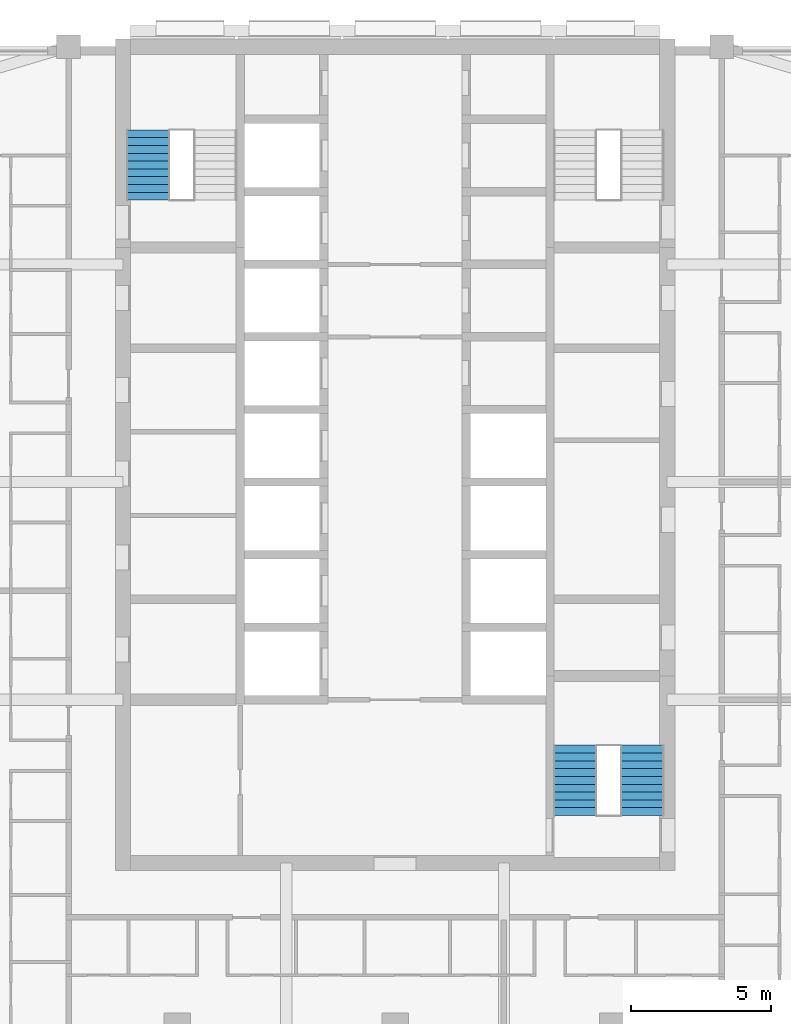
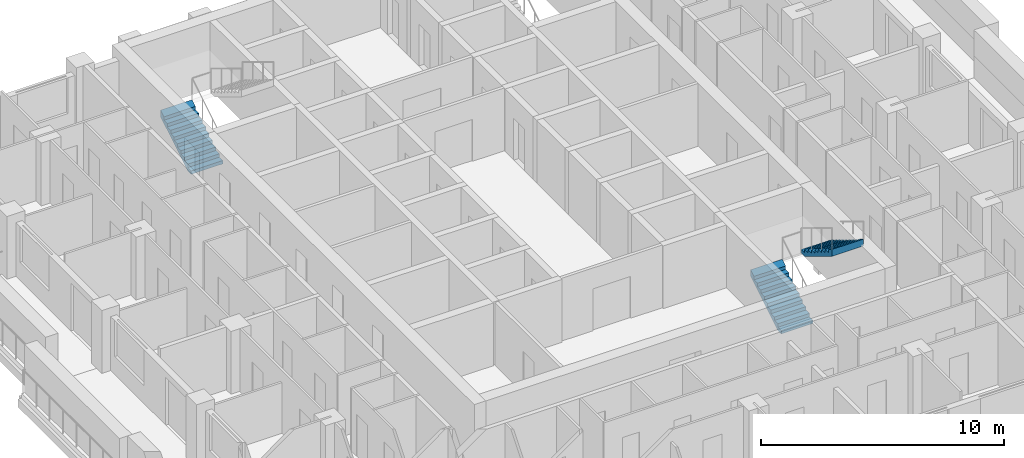
# One storey, part 11 of 14: 3 stair flights, 2 elements without a shape of their own.
"""IFC4 building model written with IfcOpenShell, lengths in metres."""

from ifc_helpers import new_model, si_unit, direction, frame, origin, place, context, subcontext, project, spatial, triangles, material, type_object, element, aggregate, save


model = new_model("IFC4")

# Units and contexts
model_context = context("Model", 3, precision=1e-05, world=origin(), true_north=direction((0.0, 1.0)))
body_context = subcontext(model_context, "Body", "Model", "MODEL_VIEW")
ifc_project = project(units=[si_unit("LENGTHUNIT", "METRE"), si_unit("AREAUNIT", "SQUARE_METRE"), si_unit("VOLUMEUNIT", "CUBIC_METRE"), si_unit("PLANEANGLEUNIT", "RADIAN"), si_unit("MASSUNIT", "GRAM", prefix="KILO")], contexts=[model_context])

# Site, building, storey
site_placement = place(None, origin())
site = spatial("IfcSite", under=ifc_project, at=site_placement, CompositionType="ELEMENT")
building_placement = place(site_placement, origin())
building = spatial("IfcBuilding", under=site, at=building_placement, Name="Ludao Terraces", CompositionType="ELEMENT")
storey_placement = place(building_placement, frame((0.0, 0.0, 103.300048828125)))
storey = spatial("IfcBuildingStorey", under=building, at=storey_placement, Name="L28", CompositionType="ELEMENT", Elevation=103.300048828125)

# Stair, stair flight
ifc_material = material(Name="Concrete C40", Category="concrete")
stair_type = type_object("IfcStairType", Name="INT Stair", PredefinedType="HALF_TURN_STAIR", material=ifc_material)
stair_1_placement = place(storey_placement, origin())
stair_1 = element("IfcStair", 1, at=stair_1_placement, inside=storey, type_object=stair_type, Name="EXIT STAIR 1", PredefinedType="HALF_TURN_STAIR")
stair_flight_type = type_object("IfcStairFlightType", Name="INT Stair flight", PredefinedType="STRAIGHT", material=ifc_material)
stair_flight_1_placement = place(storey_placement, frame((76.14990234375, 79.0, 0.0), z_axis=(0.0, 0.0, 1.0), x_axis=(0.0, 1.0, 0.0)))
stair_flight_1 = element("IfcStairFlight", 2, at=stair_flight_1_placement, type_object=stair_flight_type, Name="ST1 flight 1", NumberOfRisers=10, NumberOfTreads=9, PredefinedType="STRAIGHT", RiserHeight=0.17, TreadLength=0.28, context=body_context, shape_type="Tessellation", body=[
    triangles([(0.0, -0.75, 0.0), (0.0, -0.5, 0.0), (0.0, -0.25, 0.0), (0.0, 0.0, 0.0), (0.0, 0.25, 0.0), (0.0, 0.5, 0.0), (0.0, 0.75, 0.0), (0.0, -0.75, 0.169921875), (0.0, -0.5, 0.169921875), (0.0, -0.25, 0.169921875), (0.0, 0.0, 0.169921875), (0.0, 0.25, 0.169921875), (0.0, 0.5, 0.169921875), (0.0, 0.75, 0.169921875), (0.280029296875, -0.75, 0.169921875), (0.280029296875, -0.5, 0.169921875), (0.280029296875, -0.25, 0.169921875), (0.280029296875, 0.0, 0.169921875), (0.280029296875, 0.25, 0.169921875), (0.280029296875, 0.5, 0.169921875), (0.280029296875, 0.75, 0.169921875), (0.280029296875, -0.75, 0.340087890625), (0.280029296875, -0.5, 0.340087890625), (0.280029296875, -0.25, 0.340087890625), (0.280029296875, 0.0, 0.340087890625), (0.280029296875, 0.25, 0.340087890625), (0.280029296875, 0.5, 0.340087890625), (0.280029296875, 0.75, 0.340087890625), (0.56005859375, -0.75, 0.340087890625), (0.56005859375, -0.5, 0.340087890625), (0.56005859375, -0.25, 0.340087890625), (0.56005859375, 0.0, 0.340087890625), (0.56005859375, 0.25, 0.340087890625), (0.56005859375, 0.5, 0.340087890625), (0.56005859375, 0.75, 0.340087890625), (0.56005859375, -0.75, 0.510009765625), (0.56005859375, -0.5, 0.510009765625), (0.56005859375, -0.25, 0.510009765625), (0.56005859375, 0.0, 0.510009765625), (0.56005859375, 0.25, 0.510009765625), (0.56005859375, 0.5, 0.510009765625), (0.56005859375, 0.75, 0.510009765625), (0.840087890625, -0.75, 0.510009765625), (0.840087890625, -0.5, 0.510009765625), (0.840087890625, -0.25, 0.510009765625), (0.840087890625, 0.0, 0.510009765625), (0.840087890625, 0.25, 0.510009765625), (0.840087890625, 0.5, 0.510009765625), (0.840087890625, 0.75, 0.510009765625), (0.840087890625, -0.75, 0.679931640625), (0.840087890625, -0.5, 0.679931640625), (0.840087890625, -0.25, 0.679931640625), (0.840087890625, 0.0, 0.679931640625), (0.840087890625, 0.25, 0.679931640625), (0.840087890625, 0.5, 0.679931640625), (0.840087890625, 0.75, 0.679931640625), (1.1201171875, -0.75, 0.679931640625), (1.1201171875, -0.5, 0.679931640625), (1.1201171875, -0.25, 0.679931640625), (1.1201171875, 0.0, 0.679931640625), (1.1201171875, 0.25, 0.679931640625), (1.1201171875, 0.5, 0.679931640625), (1.1201171875, 0.75, 0.679931640625), (1.1201171875, -0.75, 0.85009765625), (1.1201171875, -0.5, 0.85009765625), (1.1201171875, -0.25, 0.85009765625), (1.1201171875, 0.0, 0.85009765625), (1.1201171875, 0.25, 0.85009765625), (1.1201171875, 0.5, 0.85009765625), (1.1201171875, 0.75, 0.85009765625), (1.39990234375, -0.75, 0.85009765625), (1.39990234375, -0.5, 0.85009765625), (1.39990234375, -0.25, 0.85009765625), (1.39990234375, 0.0, 0.85009765625), (1.39990234375, 0.25, 0.85009765625), (1.39990234375, 0.5, 0.85009765625), (1.39990234375, 0.75, 0.85009765625), (1.39990234375, -0.75, 1.02001953125), (1.39990234375, -0.5, 1.02001953125), (1.39990234375, -0.25, 1.02001953125), (1.39990234375, 0.0, 1.02001953125), (1.39990234375, 0.25, 1.02001953125), (1.39990234375, 0.5, 1.02001953125), (1.39990234375, 0.75, 1.02001953125), (1.679931640625, -0.75, 1.02001953125), (1.679931640625, -0.5, 1.02001953125), (1.679931640625, -0.25, 1.02001953125), (1.679931640625, 0.0, 1.02001953125), (1.679931640625, 0.25, 1.02001953125), (1.679931640625, 0.5, 1.02001953125), (1.679931640625, 0.75, 1.02001953125), (1.679931640625, -0.75, 1.18994140625), (1.679931640625, -0.5, 1.18994140625), (1.679931640625, -0.25, 1.18994140625), (1.679931640625, 0.0, 1.18994140625), (1.679931640625, 0.25, 1.18994140625), (1.679931640625, 0.5, 1.18994140625), (1.679931640625, 0.75, 1.18994140625), (1.9599609375, -0.75, 1.18994140625), (1.9599609375, -0.5, 1.18994140625), (1.9599609375, -0.25, 1.18994140625), (1.9599609375, 0.0, 1.18994140625), (1.9599609375, 0.25, 1.18994140625), (1.9599609375, 0.5, 1.18994140625), (1.9599609375, 0.75, 1.18994140625), (1.9599609375, -0.75, 1.360107421875), (1.9599609375, -0.5, 1.360107421875), (1.9599609375, -0.25, 1.360107421875), (1.9599609375, 0.0, 1.360107421875), (1.9599609375, 0.25, 1.360107421875), (1.9599609375, 0.5, 1.360107421875), (1.9599609375, 0.75, 1.360107421875), (2.239990234375, -0.75, 1.360107421875), (2.239990234375, -0.5, 1.360107421875), (2.239990234375, -0.25, 1.360107421875), (2.239990234375, 0.0, 1.360107421875), (2.239990234375, 0.25, 1.360107421875), (2.239990234375, 0.5, 1.360107421875), (2.239990234375, 0.75, 1.360107421875), (2.239990234375, -0.75, 1.530029296875), (2.239990234375, -0.5, 1.530029296875), (2.239990234375, -0.25, 1.530029296875), (2.239990234375, 0.0, 1.530029296875), (2.239990234375, 0.25, 1.530029296875), (2.239990234375, 0.5, 1.530029296875), (2.239990234375, 0.75, 1.530029296875), (2.52001953125, -0.75, 1.699951171875), (2.52001953125, -0.5, 1.699951171875), (2.52001953125, -0.25, 1.699951171875), (2.52001953125, 0.0, 1.699951171875), (2.52001953125, 0.25, 1.699951171875), (2.52001953125, 0.5, 1.699951171875), (2.52001953125, 0.75, 1.699951171875), (2.52001953125, -0.75, 1.354736328125), (2.52001953125, -0.5, 1.354736328125), (2.52001953125, -0.25, 1.354736328125), (2.52001953125, 0.0, 1.354736328125), (2.52001953125, 0.25, 1.354736328125), (2.52001953125, 0.5, 1.354736328125), (2.52001953125, 0.75, 1.354736328125), (0.288818359375, -0.75, 0.0), (0.288818359375, -0.5, 0.0), (0.288818359375, -0.25, 0.0), (0.288818359375, 0.0, 0.0), (0.288818359375, 0.25, 0.0), (0.288818359375, 0.5, 0.0), (0.288818359375, 0.75, 0.0)], [[1, 141, 134], [7, 140, 147], [134, 127, 120], [140, 126, 133], [134, 120, 113], [140, 119, 126], [134, 113, 106], [140, 112, 119], [134, 106, 99], [140, 105, 112], [99, 92, 85], [105, 91, 98], [134, 99, 85], [140, 91, 105], [85, 78, 71], [91, 77, 84], [134, 85, 71], [140, 77, 91], [71, 64, 57], [77, 63, 70], [134, 71, 57], [140, 63, 77], [57, 50, 43], [63, 49, 56], [134, 57, 43], [140, 49, 63], [43, 36, 29], [49, 35, 42], [134, 43, 29], [140, 35, 49], [29, 22, 15], [35, 21, 28], [134, 29, 15], [140, 21, 35], [1, 134, 15], [7, 21, 140], [15, 8, 1], [21, 7, 14], [1, 9, 2], [1, 8, 9], [2, 10, 3], [2, 9, 10], [3, 11, 4], [3, 10, 11], [4, 12, 5], [4, 11, 12], [5, 13, 6], [5, 12, 13], [6, 14, 7], [6, 13, 14], [8, 16, 9], [8, 15, 16], [9, 17, 10], [9, 16, 17], [10, 18, 11], [10, 17, 18], [11, 19, 12], [11, 18, 19], [12, 20, 13], [12, 19, 20], [13, 21, 14], [13, 20, 21], [15, 23, 16], [15, 22, 23], [16, 24, 17], [16, 23, 24], [17, 25, 18], [17, 24, 25], [18, 26, 19], [18, 25, 26], [19, 27, 20], [19, 26, 27], [20, 28, 21], [20, 27, 28], [22, 30, 23], [22, 29, 30], [23, 31, 24], [23, 30, 31], [24, 32, 25], [24, 31, 32], [25, 33, 26], [25, 32, 33], [26, 34, 27], [26, 33, 34], [27, 35, 28], [27, 34, 35], [29, 37, 30], [29, 36, 37], [30, 38, 31], [30, 37, 38], [31, 39, 32], [31, 38, 39], [32, 40, 33], [32, 39, 40], [33, 41, 34], [33, 40, 41], [34, 42, 35], [34, 41, 42], [36, 44, 37], [36, 43, 44], [37, 45, 38], [37, 44, 45], [38, 46, 39], [38, 45, 46], [39, 47, 40], [39, 46, 47], [40, 48, 41], [40, 47, 48], [41, 49, 42], [41, 48, 49], [43, 51, 44], [43, 50, 51], [44, 52, 45], [44, 51, 52], [45, 53, 46], [45, 52, 53], [46, 54, 47], [46, 53, 54], [47, 55, 48], [47, 54, 55], [48, 56, 49], [48, 55, 56], [50, 58, 51], [50, 57, 58], [51, 59, 52], [51, 58, 59], [52, 60, 53], [52, 59, 60], [53, 61, 54], [53, 60, 61], [54, 62, 55], [54, 61, 62], [55, 63, 56], [55, 62, 63], [57, 65, 58], [57, 64, 65], [58, 66, 59], [58, 65, 66], [59, 67, 60], [59, 66, 67], [60, 68, 61], [60, 67, 68], [61, 69, 62], [61, 68, 69], [62, 70, 63], [62, 69, 70], [64, 72, 65], [64, 71, 72], [65, 73, 66], [65, 72, 73], [66, 74, 67], [66, 73, 74], [67, 75, 68], [67, 74, 75], [68, 76, 69], [68, 75, 76], [69, 77, 70], [69, 76, 77], [71, 79, 72], [71, 78, 79], [72, 80, 73], [72, 79, 80], [73, 81, 74], [73, 80, 81], [74, 82, 75], [74, 81, 82], [75, 83, 76], [75, 82, 83], [76, 84, 77], [76, 83, 84], [78, 86, 79], [78, 85, 86], [79, 87, 80], [79, 86, 87], [80, 88, 81], [80, 87, 88], [81, 89, 82], [81, 88, 89], [82, 90, 83], [82, 89, 90], [83, 91, 84], [83, 90, 91], [85, 93, 86], [85, 92, 93], [86, 94, 87], [86, 93, 94], [87, 95, 88], [87, 94, 95], [88, 96, 89], [88, 95, 96], [89, 97, 90], [89, 96, 97], [90, 98, 91], [90, 97, 98], [92, 100, 93], [92, 99, 100], [93, 101, 94], [93, 100, 101], [94, 102, 95], [94, 101, 102], [95, 103, 96], [95, 102, 103], [96, 104, 97], [96, 103, 104], [97, 105, 98], [97, 104, 105], [99, 107, 100], [99, 106, 107], [100, 108, 101], [100, 107, 108], [101, 109, 102], [101, 108, 109], [102, 110, 103], [102, 109, 110], [103, 111, 104], [103, 110, 111], [104, 112, 105], [104, 111, 112], [106, 114, 107], [106, 113, 114], [107, 115, 108], [107, 114, 115], [108, 116, 109], [108, 115, 116], [109, 117, 110], [109, 116, 117], [110, 118, 111], [110, 117, 118], [111, 119, 112], [111, 118, 119], [113, 121, 114], [113, 120, 121], [114, 122, 115], [114, 121, 122], [115, 123, 116], [115, 122, 123], [116, 124, 117], [116, 123, 124], [117, 125, 118], [117, 124, 125], [118, 126, 119], [118, 125, 126], [120, 128, 121], [120, 127, 128], [121, 129, 122], [121, 128, 129], [122, 130, 123], [122, 129, 130], [123, 131, 124], [123, 130, 131], [124, 132, 125], [124, 131, 132], [125, 133, 126], [125, 132, 133], [127, 135, 128], [127, 134, 135], [128, 136, 129], [128, 135, 136], [129, 137, 130], [129, 136, 137], [130, 138, 131], [130, 137, 138], [131, 139, 132], [131, 138, 139], [132, 140, 133], [132, 139, 140], [134, 142, 135], [134, 141, 142], [135, 143, 136], [135, 142, 143], [136, 144, 137], [136, 143, 144], [137, 145, 138], [137, 144, 145], [138, 146, 139], [138, 145, 146], [139, 147, 140], [139, 146, 147], [141, 2, 142], [141, 1, 2], [142, 3, 143], [142, 2, 3], [143, 4, 144], [143, 3, 4], [144, 5, 145], [144, 4, 5], [145, 6, 146], [145, 5, 6], [146, 7, 147], [146, 6, 7]], closed=True),
])
aggregate(stair_1, [stair_flight_1])

# Stair, stair flights
stair_2_placement = place(storey_placement, origin())
stair_2 = element("IfcStair", 3, at=stair_2_placement, inside=storey, type_object=stair_type, Name="EXIT STAIR 3", PredefinedType="HALF_TURN_STAIR")
stair_flight_2_placement = place(storey_placement, frame((91.449951171875, 56.949951171875, 0.0), z_axis=(0.0, 0.0, 1.0), x_axis=(0.0, 1.0, 0.0)))
stair_flight_2 = element("IfcStairFlight", 4, at=stair_flight_2_placement, type_object=stair_flight_type, Name="ST3 flight 1", NumberOfRisers=10, NumberOfTreads=9, PredefinedType="STRAIGHT", RiserHeight=0.17, TreadLength=0.28, context=body_context, shape_type="Tessellation", body=[
    triangles([(0.0, -0.75, 0.0), (0.0, -0.5, 0.0), (0.0, -0.25, 0.0), (0.0, 0.0, 0.0), (0.0, 0.25, 0.0), (0.0, 0.5, 0.0), (0.0, 0.75, 0.0), (0.0, -0.75, 0.169921875), (0.0, -0.5, 0.169921875), (0.0, -0.25, 0.169921875), (0.0, 0.0, 0.169921875), (0.0, 0.25, 0.169921875), (0.0, 0.5, 0.169921875), (0.0, 0.75, 0.169921875), (0.280029296875, -0.75, 0.169921875), (0.280029296875, -0.5, 0.169921875), (0.280029296875, -0.25, 0.169921875), (0.280029296875, 0.0, 0.169921875), (0.280029296875, 0.25, 0.169921875), (0.280029296875, 0.5, 0.169921875), (0.280029296875, 0.75, 0.169921875), (0.280029296875, -0.75, 0.340087890625), (0.280029296875, -0.5, 0.340087890625), (0.280029296875, -0.25, 0.340087890625), (0.280029296875, 0.0, 0.340087890625), (0.280029296875, 0.25, 0.340087890625), (0.280029296875, 0.5, 0.340087890625), (0.280029296875, 0.75, 0.340087890625), (0.56005859375, -0.75, 0.340087890625), (0.56005859375, -0.5, 0.340087890625), (0.56005859375, -0.25, 0.340087890625), (0.56005859375, 0.0, 0.340087890625), (0.56005859375, 0.25, 0.340087890625), (0.56005859375, 0.5, 0.340087890625), (0.56005859375, 0.75, 0.340087890625), (0.56005859375, -0.75, 0.510009765625), (0.56005859375, -0.5, 0.510009765625), (0.56005859375, -0.25, 0.510009765625), (0.56005859375, 0.0, 0.510009765625), (0.56005859375, 0.25, 0.510009765625), (0.56005859375, 0.5, 0.510009765625), (0.56005859375, 0.75, 0.510009765625), (0.840087890625, -0.75, 0.510009765625), (0.840087890625, -0.5, 0.510009765625), (0.840087890625, -0.25, 0.510009765625), (0.840087890625, 0.0, 0.510009765625), (0.840087890625, 0.25, 0.510009765625), (0.840087890625, 0.5, 0.510009765625), (0.840087890625, 0.75, 0.510009765625), (0.840087890625, -0.75, 0.679931640625), (0.840087890625, -0.5, 0.679931640625), (0.840087890625, -0.25, 0.679931640625), (0.840087890625, 0.0, 0.679931640625), (0.840087890625, 0.25, 0.679931640625), (0.840087890625, 0.5, 0.679931640625), (0.840087890625, 0.75, 0.679931640625), (1.1201171875, -0.75, 0.679931640625), (1.1201171875, -0.5, 0.679931640625), (1.1201171875, -0.25, 0.679931640625), (1.1201171875, 0.0, 0.679931640625), (1.1201171875, 0.25, 0.679931640625), (1.1201171875, 0.5, 0.679931640625), (1.1201171875, 0.75, 0.679931640625), (1.1201171875, -0.75, 0.85009765625), (1.1201171875, -0.5, 0.85009765625), (1.1201171875, -0.25, 0.85009765625), (1.1201171875, 0.0, 0.85009765625), (1.1201171875, 0.25, 0.85009765625), (1.1201171875, 0.5, 0.85009765625), (1.1201171875, 0.75, 0.85009765625), (1.39990234375, -0.75, 0.85009765625), (1.39990234375, -0.5, 0.85009765625), (1.39990234375, -0.25, 0.85009765625), (1.39990234375, 0.0, 0.85009765625), (1.39990234375, 0.25, 0.85009765625), (1.39990234375, 0.5, 0.85009765625), (1.39990234375, 0.75, 0.85009765625), (1.39990234375, -0.75, 1.02001953125), (1.39990234375, -0.5, 1.02001953125), (1.39990234375, -0.25, 1.02001953125), (1.39990234375, 0.0, 1.02001953125), (1.39990234375, 0.25, 1.02001953125), (1.39990234375, 0.5, 1.02001953125), (1.39990234375, 0.75, 1.02001953125), (1.679931640625, -0.75, 1.02001953125), (1.679931640625, -0.5, 1.02001953125), (1.679931640625, -0.25, 1.02001953125), (1.679931640625, 0.0, 1.02001953125), (1.679931640625, 0.25, 1.02001953125), (1.679931640625, 0.5, 1.02001953125), (1.679931640625, 0.75, 1.02001953125), (1.679931640625, -0.75, 1.18994140625), (1.679931640625, -0.5, 1.18994140625), (1.679931640625, -0.25, 1.18994140625), (1.679931640625, 0.0, 1.18994140625), (1.679931640625, 0.25, 1.18994140625), (1.679931640625, 0.5, 1.18994140625), (1.679931640625, 0.75, 1.18994140625), (1.9599609375, -0.75, 1.18994140625), (1.9599609375, -0.5, 1.18994140625), (1.9599609375, -0.25, 1.18994140625), (1.9599609375, 0.0, 1.18994140625), (1.9599609375, 0.25, 1.18994140625), (1.9599609375, 0.5, 1.18994140625), (1.9599609375, 0.75, 1.18994140625), (1.9599609375, -0.75, 1.360107421875), (1.9599609375, -0.5, 1.360107421875), (1.9599609375, -0.25, 1.360107421875), (1.9599609375, 0.0, 1.360107421875), (1.9599609375, 0.25, 1.360107421875), (1.9599609375, 0.5, 1.360107421875), (1.9599609375, 0.75, 1.360107421875), (2.239990234375, -0.75, 1.360107421875), (2.239990234375, -0.5, 1.360107421875), (2.239990234375, -0.25, 1.360107421875), (2.239990234375, 0.0, 1.360107421875), (2.239990234375, 0.25, 1.360107421875), (2.239990234375, 0.5, 1.360107421875), (2.239990234375, 0.75, 1.360107421875), (2.239990234375, -0.75, 1.530029296875), (2.239990234375, -0.5, 1.530029296875), (2.239990234375, -0.25, 1.530029296875), (2.239990234375, 0.0, 1.530029296875), (2.239990234375, 0.25, 1.530029296875), (2.239990234375, 0.5, 1.530029296875), (2.239990234375, 0.75, 1.530029296875), (2.52001953125, -0.75, 1.699951171875), (2.52001953125, -0.5, 1.699951171875), (2.52001953125, -0.25, 1.699951171875), (2.52001953125, 0.0, 1.699951171875), (2.52001953125, 0.25, 1.699951171875), (2.52001953125, 0.5, 1.699951171875), (2.52001953125, 0.75, 1.699951171875), (2.52001953125, -0.75, 1.354736328125), (2.52001953125, -0.5, 1.354736328125), (2.52001953125, -0.25, 1.354736328125), (2.52001953125, 0.0, 1.354736328125), (2.52001953125, 0.25, 1.354736328125), (2.52001953125, 0.5, 1.354736328125), (2.52001953125, 0.75, 1.354736328125), (0.288818359375, -0.75, 0.0), (0.288818359375, -0.5, 0.0), (0.288818359375, -0.25, 0.0), (0.288818359375, 0.0, 0.0), (0.288818359375, 0.25, 0.0), (0.288818359375, 0.5, 0.0), (0.288818359375, 0.75, 0.0)], [[1, 141, 134], [7, 140, 147], [134, 127, 120], [140, 126, 133], [134, 120, 113], [140, 119, 126], [134, 113, 106], [140, 112, 119], [134, 106, 99], [140, 105, 112], [99, 92, 85], [105, 91, 98], [134, 99, 85], [140, 91, 105], [85, 78, 71], [91, 77, 84], [134, 85, 71], [140, 77, 91], [71, 64, 57], [77, 63, 70], [134, 71, 57], [140, 63, 77], [57, 50, 43], [63, 49, 56], [134, 57, 43], [140, 49, 63], [43, 36, 29], [49, 35, 42], [134, 43, 29], [140, 35, 49], [29, 22, 15], [35, 21, 28], [134, 29, 15], [140, 21, 35], [1, 134, 15], [7, 21, 140], [15, 8, 1], [21, 7, 14], [1, 9, 2], [1, 8, 9], [2, 10, 3], [2, 9, 10], [3, 11, 4], [3, 10, 11], [4, 12, 5], [4, 11, 12], [5, 13, 6], [5, 12, 13], [6, 14, 7], [6, 13, 14], [8, 16, 9], [8, 15, 16], [9, 17, 10], [9, 16, 17], [10, 18, 11], [10, 17, 18], [11, 19, 12], [11, 18, 19], [12, 20, 13], [12, 19, 20], [13, 21, 14], [13, 20, 21], [15, 23, 16], [15, 22, 23], [16, 24, 17], [16, 23, 24], [17, 25, 18], [17, 24, 25], [18, 26, 19], [18, 25, 26], [19, 27, 20], [19, 26, 27], [20, 28, 21], [20, 27, 28], [22, 30, 23], [22, 29, 30], [23, 31, 24], [23, 30, 31], [24, 32, 25], [24, 31, 32], [25, 33, 26], [25, 32, 33], [26, 34, 27], [26, 33, 34], [27, 35, 28], [27, 34, 35], [29, 37, 30], [29, 36, 37], [30, 38, 31], [30, 37, 38], [31, 39, 32], [31, 38, 39], [32, 40, 33], [32, 39, 40], [33, 41, 34], [33, 40, 41], [34, 42, 35], [34, 41, 42], [36, 44, 37], [36, 43, 44], [37, 45, 38], [37, 44, 45], [38, 46, 39], [38, 45, 46], [39, 47, 40], [39, 46, 47], [40, 48, 41], [40, 47, 48], [41, 49, 42], [41, 48, 49], [43, 51, 44], [43, 50, 51], [44, 52, 45], [44, 51, 52], [45, 53, 46], [45, 52, 53], [46, 54, 47], [46, 53, 54], [47, 55, 48], [47, 54, 55], [48, 56, 49], [48, 55, 56], [50, 58, 51], [50, 57, 58], [51, 59, 52], [51, 58, 59], [52, 60, 53], [52, 59, 60], [53, 61, 54], [53, 60, 61], [54, 62, 55], [54, 61, 62], [55, 63, 56], [55, 62, 63], [57, 65, 58], [57, 64, 65], [58, 66, 59], [58, 65, 66], [59, 67, 60], [59, 66, 67], [60, 68, 61], [60, 67, 68], [61, 69, 62], [61, 68, 69], [62, 70, 63], [62, 69, 70], [64, 72, 65], [64, 71, 72], [65, 73, 66], [65, 72, 73], [66, 74, 67], [66, 73, 74], [67, 75, 68], [67, 74, 75], [68, 76, 69], [68, 75, 76], [69, 77, 70], [69, 76, 77], [71, 79, 72], [71, 78, 79], [72, 80, 73], [72, 79, 80], [73, 81, 74], [73, 80, 81], [74, 82, 75], [74, 81, 82], [75, 83, 76], [75, 82, 83], [76, 84, 77], [76, 83, 84], [78, 86, 79], [78, 85, 86], [79, 87, 80], [79, 86, 87], [80, 88, 81], [80, 87, 88], [81, 89, 82], [81, 88, 89], [82, 90, 83], [82, 89, 90], [83, 91, 84], [83, 90, 91], [85, 93, 86], [85, 92, 93], [86, 94, 87], [86, 93, 94], [87, 95, 88], [87, 94, 95], [88, 96, 89], [88, 95, 96], [89, 97, 90], [89, 96, 97], [90, 98, 91], [90, 97, 98], [92, 100, 93], [92, 99, 100], [93, 101, 94], [93, 100, 101], [94, 102, 95], [94, 101, 102], [95, 103, 96], [95, 102, 103], [96, 104, 97], [96, 103, 104], [97, 105, 98], [97, 104, 105], [99, 107, 100], [99, 106, 107], [100, 108, 101], [100, 107, 108], [101, 109, 102], [101, 108, 109], [102, 110, 103], [102, 109, 110], [103, 111, 104], [103, 110, 111], [104, 112, 105], [104, 111, 112], [106, 114, 107], [106, 113, 114], [107, 115, 108], [107, 114, 115], [108, 116, 109], [108, 115, 116], [109, 117, 110], [109, 116, 117], [110, 118, 111], [110, 117, 118], [111, 119, 112], [111, 118, 119], [113, 121, 114], [113, 120, 121], [114, 122, 115], [114, 121, 122], [115, 123, 116], [115, 122, 123], [116, 124, 117], [116, 123, 124], [117, 125, 118], [117, 124, 125], [118, 126, 119], [118, 125, 126], [120, 128, 121], [120, 127, 128], [121, 129, 122], [121, 128, 129], [122, 130, 123], [122, 129, 130], [123, 131, 124], [123, 130, 131], [124, 132, 125], [124, 131, 132], [125, 133, 126], [125, 132, 133], [127, 135, 128], [127, 134, 135], [128, 136, 129], [128, 135, 136], [129, 137, 130], [129, 136, 137], [130, 138, 131], [130, 137, 138], [131, 139, 132], [131, 138, 139], [132, 140, 133], [132, 139, 140], [134, 142, 135], [134, 141, 142], [135, 143, 136], [135, 142, 143], [136, 144, 137], [136, 143, 144], [137, 145, 138], [137, 144, 145], [138, 146, 139], [138, 145, 146], [139, 147, 140], [139, 146, 147], [141, 2, 142], [141, 1, 2], [142, 3, 143], [142, 2, 3], [143, 4, 144], [143, 3, 4], [144, 5, 145], [144, 4, 5], [145, 6, 146], [145, 5, 6], [146, 7, 147], [146, 6, 7]], closed=True),
])
stair_flight_3_placement = place(storey_placement, frame((93.85009765625, 59.469970703125, 1.699951171875), z_axis=(0.0, 0.0, 1.0), x_axis=(0.0, -1.0, 0.0)))
stair_flight_3 = element("IfcStairFlight", 5, at=stair_flight_3_placement, type_object=stair_flight_type, Name="ST3 flight 2", NumberOfRisers=10, NumberOfTreads=9, PredefinedType="STRAIGHT", RiserHeight=0.17, TreadLength=0.28, context=body_context, shape_type="Tessellation", body=[
    triangles([(0.0, -0.75, 0.0), (0.0, -0.5, 0.0), (0.0, -0.25, 0.0), (0.0, 0.0, 0.0), (0.0, 0.25, 0.0), (0.0, 0.5, 0.0), (0.0, 0.75, 0.0), (0.0, -0.75, 0.169921875), (0.0, -0.5, 0.169921875), (0.0, -0.25, 0.169921875), (0.0, 0.0, 0.169921875), (0.0, 0.25, 0.169921875), (0.0, 0.5, 0.169921875), (0.0, 0.75, 0.169921875), (0.280029296875, -0.75, 0.169921875), (0.280029296875, -0.5, 0.169921875), (0.280029296875, -0.25, 0.169921875), (0.280029296875, 0.0, 0.169921875), (0.280029296875, 0.25, 0.169921875), (0.280029296875, 0.5, 0.169921875), (0.280029296875, 0.75, 0.169921875), (0.280029296875, -0.75, 0.340087890625), (0.280029296875, -0.5, 0.340087890625), (0.280029296875, -0.25, 0.340087890625), (0.280029296875, 0.0, 0.340087890625), (0.280029296875, 0.25, 0.340087890625), (0.280029296875, 0.5, 0.340087890625), (0.280029296875, 0.75, 0.340087890625), (0.56005859375, -0.75, 0.340087890625), (0.56005859375, -0.5, 0.340087890625), (0.56005859375, -0.25, 0.340087890625), (0.56005859375, 0.0, 0.340087890625), (0.56005859375, 0.25, 0.340087890625), (0.56005859375, 0.5, 0.340087890625), (0.56005859375, 0.75, 0.340087890625), (0.56005859375, -0.75, 0.510009765625), (0.56005859375, -0.5, 0.510009765625), (0.56005859375, -0.25, 0.510009765625), (0.56005859375, 0.0, 0.510009765625), (0.56005859375, 0.25, 0.510009765625), (0.56005859375, 0.5, 0.510009765625), (0.56005859375, 0.75, 0.510009765625), (0.840087890625, -0.75, 0.510009765625), (0.840087890625, -0.5, 0.510009765625), (0.840087890625, -0.25, 0.510009765625), (0.840087890625, 0.0, 0.510009765625), (0.840087890625, 0.25, 0.510009765625), (0.840087890625, 0.5, 0.510009765625), (0.840087890625, 0.75, 0.510009765625), (0.840087890625, -0.75, 0.679931640625), (0.840087890625, -0.5, 0.679931640625), (0.840087890625, -0.25, 0.679931640625), (0.840087890625, 0.0, 0.679931640625), (0.840087890625, 0.25, 0.679931640625), (0.840087890625, 0.5, 0.679931640625), (0.840087890625, 0.75, 0.679931640625), (1.1201171875, -0.75, 0.679931640625), (1.1201171875, -0.5, 0.679931640625), (1.1201171875, -0.25, 0.679931640625), (1.1201171875, 0.0, 0.679931640625), (1.1201171875, 0.25, 0.679931640625), (1.1201171875, 0.5, 0.679931640625), (1.1201171875, 0.75, 0.679931640625), (1.1201171875, -0.75, 0.85009765625), (1.1201171875, -0.5, 0.85009765625), (1.1201171875, -0.25, 0.85009765625), (1.1201171875, 0.0, 0.85009765625), (1.1201171875, 0.25, 0.85009765625), (1.1201171875, 0.5, 0.85009765625), (1.1201171875, 0.75, 0.85009765625), (1.39990234375, -0.75, 0.85009765625), (1.39990234375, -0.5, 0.85009765625), (1.39990234375, -0.25, 0.85009765625), (1.39990234375, 0.0, 0.85009765625), (1.39990234375, 0.25, 0.85009765625), (1.39990234375, 0.5, 0.85009765625), (1.39990234375, 0.75, 0.85009765625), (1.39990234375, -0.75, 1.02001953125), (1.39990234375, -0.5, 1.02001953125), (1.39990234375, -0.25, 1.02001953125), (1.39990234375, 0.0, 1.02001953125), (1.39990234375, 0.25, 1.02001953125), (1.39990234375, 0.5, 1.02001953125), (1.39990234375, 0.75, 1.02001953125), (1.679931640625, -0.75, 1.02001953125), (1.679931640625, -0.5, 1.02001953125), (1.679931640625, -0.25, 1.02001953125), (1.679931640625, 0.0, 1.02001953125), (1.679931640625, 0.25, 1.02001953125), (1.679931640625, 0.5, 1.02001953125), (1.679931640625, 0.75, 1.02001953125), (1.679931640625, -0.75, 1.18994140625), (1.679931640625, -0.5, 1.18994140625), (1.679931640625, -0.25, 1.18994140625), (1.679931640625, 0.0, 1.18994140625), (1.679931640625, 0.25, 1.18994140625), (1.679931640625, 0.5, 1.18994140625), (1.679931640625, 0.75, 1.18994140625), (1.9599609375, -0.75, 1.18994140625), (1.9599609375, -0.5, 1.18994140625), (1.9599609375, -0.25, 1.18994140625), (1.9599609375, 0.0, 1.18994140625), (1.9599609375, 0.25, 1.18994140625), (1.9599609375, 0.5, 1.18994140625), (1.9599609375, 0.75, 1.18994140625), (1.9599609375, -0.75, 1.360107421875), (1.9599609375, -0.5, 1.360107421875), (1.9599609375, -0.25, 1.360107421875), (1.9599609375, 0.0, 1.360107421875), (1.9599609375, 0.25, 1.360107421875), (1.9599609375, 0.5, 1.360107421875), (1.9599609375, 0.75, 1.360107421875), (2.239990234375, -0.75, 1.360107421875), (2.239990234375, -0.5, 1.360107421875), (2.239990234375, -0.25, 1.360107421875), (2.239990234375, 0.0, 1.360107421875), (2.239990234375, 0.25, 1.360107421875), (2.239990234375, 0.5, 1.360107421875), (2.239990234375, 0.75, 1.360107421875), (2.239990234375, -0.75, 1.530029296875), (2.239990234375, -0.5, 1.530029296875), (2.239990234375, -0.25, 1.530029296875), (2.239990234375, 0.0, 1.530029296875), (2.239990234375, 0.25, 1.530029296875), (2.239990234375, 0.5, 1.530029296875), (2.239990234375, 0.75, 1.530029296875), (2.52001953125, -0.75, 1.699951171875), (2.52001953125, -0.5, 1.699951171875), (2.52001953125, -0.25, 1.699951171875), (2.52001953125, 0.0, 1.699951171875), (2.52001953125, 0.25, 1.699951171875), (2.52001953125, 0.5, 1.699951171875), (2.52001953125, 0.75, 1.699951171875), (2.52001953125, -0.75, 1.354736328125), (2.52001953125, -0.5, 1.354736328125), (2.52001953125, -0.25, 1.354736328125), (2.52001953125, 0.0, 1.354736328125), (2.52001953125, 0.25, 1.354736328125), (2.52001953125, 0.5, 1.354736328125), (2.52001953125, 0.75, 1.354736328125), (0.288818359375, -0.75, 0.0), (0.288818359375, -0.5, 0.0), (0.288818359375, -0.25, 0.0), (0.288818359375, 0.0, 0.0), (0.288818359375, 0.25, 0.0), (0.288818359375, 0.5, 0.0), (0.288818359375, 0.75, 0.0)], [[1, 141, 134], [7, 140, 147], [134, 127, 120], [140, 126, 133], [134, 120, 113], [140, 119, 126], [134, 113, 106], [140, 112, 119], [134, 106, 99], [140, 105, 112], [99, 92, 85], [105, 91, 98], [134, 99, 85], [140, 91, 105], [85, 78, 71], [91, 77, 84], [134, 85, 71], [140, 77, 91], [71, 64, 57], [77, 63, 70], [134, 71, 57], [140, 63, 77], [57, 50, 43], [63, 49, 56], [134, 57, 43], [140, 49, 63], [43, 36, 29], [49, 35, 42], [134, 43, 29], [140, 35, 49], [29, 22, 15], [35, 21, 28], [134, 29, 15], [140, 21, 35], [1, 134, 15], [7, 21, 140], [15, 8, 1], [21, 7, 14], [1, 9, 2], [1, 8, 9], [2, 10, 3], [2, 9, 10], [3, 11, 4], [3, 10, 11], [4, 12, 5], [4, 11, 12], [5, 13, 6], [5, 12, 13], [6, 14, 7], [6, 13, 14], [8, 16, 9], [8, 15, 16], [9, 17, 10], [9, 16, 17], [10, 18, 11], [10, 17, 18], [11, 19, 12], [11, 18, 19], [12, 20, 13], [12, 19, 20], [13, 21, 14], [13, 20, 21], [15, 23, 16], [15, 22, 23], [16, 24, 17], [16, 23, 24], [17, 25, 18], [17, 24, 25], [18, 26, 19], [18, 25, 26], [19, 27, 20], [19, 26, 27], [20, 28, 21], [20, 27, 28], [22, 30, 23], [22, 29, 30], [23, 31, 24], [23, 30, 31], [24, 32, 25], [24, 31, 32], [25, 33, 26], [25, 32, 33], [26, 34, 27], [26, 33, 34], [27, 35, 28], [27, 34, 35], [29, 37, 30], [29, 36, 37], [30, 38, 31], [30, 37, 38], [31, 39, 32], [31, 38, 39], [32, 40, 33], [32, 39, 40], [33, 41, 34], [33, 40, 41], [34, 42, 35], [34, 41, 42], [36, 44, 37], [36, 43, 44], [37, 45, 38], [37, 44, 45], [38, 46, 39], [38, 45, 46], [39, 47, 40], [39, 46, 47], [40, 48, 41], [40, 47, 48], [41, 49, 42], [41, 48, 49], [43, 51, 44], [43, 50, 51], [44, 52, 45], [44, 51, 52], [45, 53, 46], [45, 52, 53], [46, 54, 47], [46, 53, 54], [47, 55, 48], [47, 54, 55], [48, 56, 49], [48, 55, 56], [50, 58, 51], [50, 57, 58], [51, 59, 52], [51, 58, 59], [52, 60, 53], [52, 59, 60], [53, 61, 54], [53, 60, 61], [54, 62, 55], [54, 61, 62], [55, 63, 56], [55, 62, 63], [57, 65, 58], [57, 64, 65], [58, 66, 59], [58, 65, 66], [59, 67, 60], [59, 66, 67], [60, 68, 61], [60, 67, 68], [61, 69, 62], [61, 68, 69], [62, 70, 63], [62, 69, 70], [64, 72, 65], [64, 71, 72], [65, 73, 66], [65, 72, 73], [66, 74, 67], [66, 73, 74], [67, 75, 68], [67, 74, 75], [68, 76, 69], [68, 75, 76], [69, 77, 70], [69, 76, 77], [71, 79, 72], [71, 78, 79], [72, 80, 73], [72, 79, 80], [73, 81, 74], [73, 80, 81], [74, 82, 75], [74, 81, 82], [75, 83, 76], [75, 82, 83], [76, 84, 77], [76, 83, 84], [78, 86, 79], [78, 85, 86], [79, 87, 80], [79, 86, 87], [80, 88, 81], [80, 87, 88], [81, 89, 82], [81, 88, 89], [82, 90, 83], [82, 89, 90], [83, 91, 84], [83, 90, 91], [85, 93, 86], [85, 92, 93], [86, 94, 87], [86, 93, 94], [87, 95, 88], [87, 94, 95], [88, 96, 89], [88, 95, 96], [89, 97, 90], [89, 96, 97], [90, 98, 91], [90, 97, 98], [92, 100, 93], [92, 99, 100], [93, 101, 94], [93, 100, 101], [94, 102, 95], [94, 101, 102], [95, 103, 96], [95, 102, 103], [96, 104, 97], [96, 103, 104], [97, 105, 98], [97, 104, 105], [99, 107, 100], [99, 106, 107], [100, 108, 101], [100, 107, 108], [101, 109, 102], [101, 108, 109], [102, 110, 103], [102, 109, 110], [103, 111, 104], [103, 110, 111], [104, 112, 105], [104, 111, 112], [106, 114, 107], [106, 113, 114], [107, 115, 108], [107, 114, 115], [108, 116, 109], [108, 115, 116], [109, 117, 110], [109, 116, 117], [110, 118, 111], [110, 117, 118], [111, 119, 112], [111, 118, 119], [113, 121, 114], [113, 120, 121], [114, 122, 115], [114, 121, 122], [115, 123, 116], [115, 122, 123], [116, 124, 117], [116, 123, 124], [117, 125, 118], [117, 124, 125], [118, 126, 119], [118, 125, 126], [120, 128, 121], [120, 127, 128], [121, 129, 122], [121, 128, 129], [122, 130, 123], [122, 129, 130], [123, 131, 124], [123, 130, 131], [124, 132, 125], [124, 131, 132], [125, 133, 126], [125, 132, 133], [127, 135, 128], [127, 134, 135], [128, 136, 129], [128, 135, 136], [129, 137, 130], [129, 136, 137], [130, 138, 131], [130, 137, 138], [131, 139, 132], [131, 138, 139], [132, 140, 133], [132, 139, 140], [134, 142, 135], [134, 141, 142], [135, 143, 136], [135, 142, 143], [136, 144, 137], [136, 143, 144], [137, 145, 138], [137, 144, 145], [138, 146, 139], [138, 145, 146], [139, 147, 140], [139, 146, 147], [141, 2, 142], [141, 1, 2], [142, 3, 143], [142, 2, 3], [143, 4, 144], [143, 3, 4], [144, 5, 145], [144, 4, 5], [145, 6, 146], [145, 5, 6], [146, 7, 147], [146, 6, 7]], closed=True),
])
aggregate(stair_2, [stair_flight_2, stair_flight_3])

save(model, "model.ifc")
